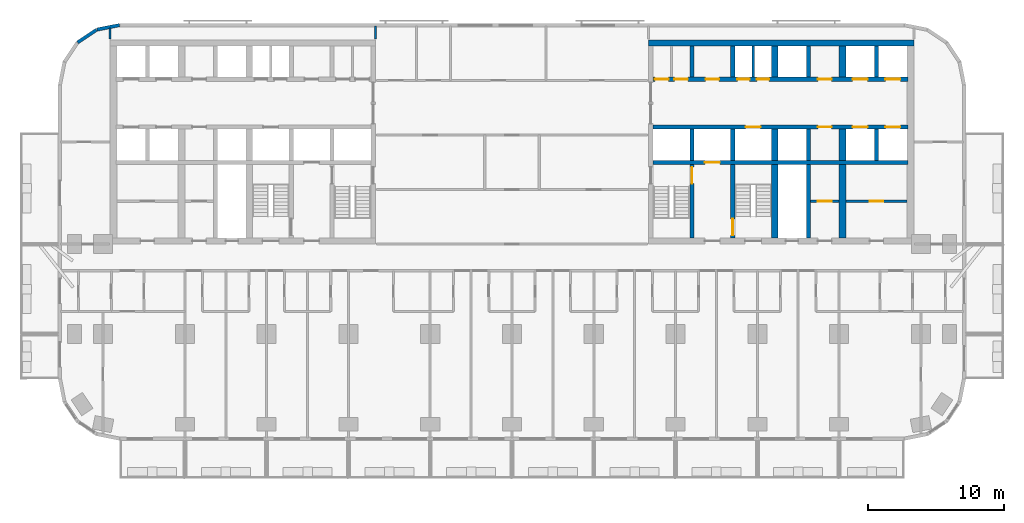
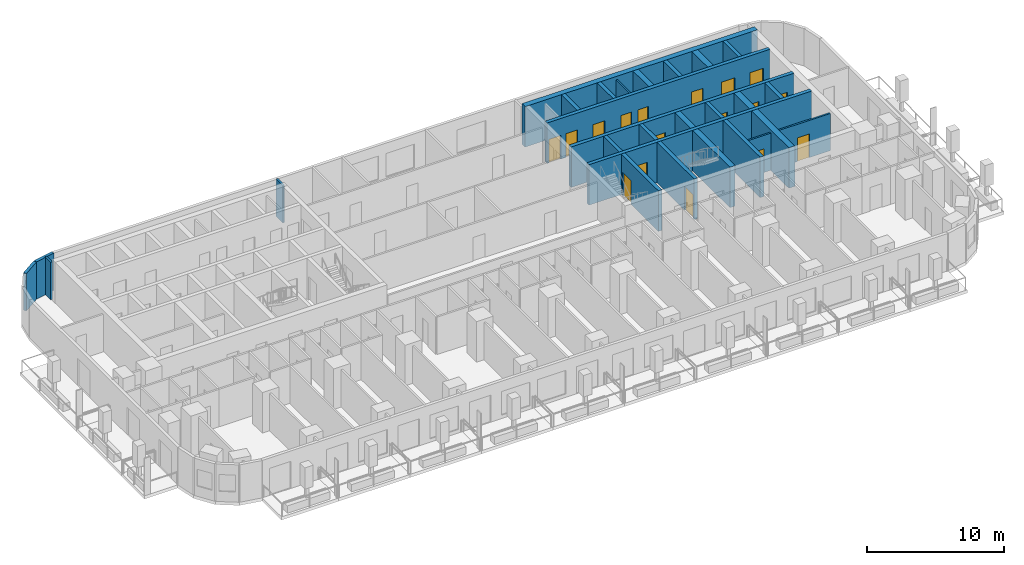
# One storey, part 8 of 15: 28 walls, 17 doors, 17 openings.
"""IFC4 building model written with IfcOpenShell, lengths in metres."""

from ifc_helpers import new_model, si_unit, direction, frame, frame_2d, origin, place, context, subcontext, project, spatial, rectangle, extrude, material, layer, layer_set, type_object, element, fill, save


model = new_model("IFC4")

# Units and contexts
model_context = context("Model", 3, precision=1e-05, world=origin(), true_north=direction((0.0, 1.0)))
body_context = subcontext(model_context, "Body", "Model", "MODEL_VIEW")
ifc_project = project(units=[si_unit("LENGTHUNIT", "METRE"), si_unit("AREAUNIT", "SQUARE_METRE"), si_unit("VOLUMEUNIT", "CUBIC_METRE"), si_unit("PLANEANGLEUNIT", "RADIAN"), si_unit("MASSUNIT", "GRAM", prefix="KILO")], contexts=[model_context])

# Site, building, storey
site_placement = place(None, origin())
site = spatial("IfcSite", under=ifc_project, at=site_placement, CompositionType="ELEMENT")
building_placement = place(site_placement, origin())
building = spatial("IfcBuilding", under=site, at=building_placement, Name="Torana Hotel and Residences", CompositionType="ELEMENT")
storey_placement = place(building_placement, frame((0.0, 0.0, 24.0)))
storey = spatial("IfcBuildingStorey", under=building, at=storey_placement, Name="L04", CompositionType="ELEMENT", Elevation=24.0)

# Wall, openings, doors
ifc_material_1 = material(Name="Concrete C80/95", Category="concrete")
ifc_layer_1 = layer(ifc_material_1, 0.300048828125)
ifc_layer_set_1 = layer_set([ifc_layer_1], Name="CORE WALL 300 C80/95")
wall_type_1 = type_object("IfcWallType", Name="CORE WALL 300 C80/95", PredefinedType="SHEAR", material=ifc_layer_set_1)
wall_1_placement = place(storey_placement, frame((10.35009765625, -2.89990234375, 0.0), z_axis=(0.0, 0.0, 1.0), x_axis=(1.0, 0.0, 0.0)))
wall_1 = element("IfcWall", 1, at=wall_1_placement, inside=storey, type_object=wall_type_1, Name="Core wall E row-N", PredefinedType="SHEAR", context=body_context, shape_type="SweptSolid", body=[
    extrude(rectangle(XDim=18.699951171875, YDim=0.300048828125, at=frame_2d((9.35009765625, 0.0))), origin(), (0.0, 0.0, 1.0), 3.60009765625),
])
opening_1_placement = place(wall_1_placement, frame((14.64990234375, 0.0, 0.0)))
opening_1 = element("IfcOpeningElement", 2, at=opening_1_placement, cuts=wall_1, Name="Opening LD", PredefinedType="OPENING", context=body_context, shape_type="SweptSolid", body=[
    extrude(rectangle(XDim=1.10009765625, YDim=2.10009765625, at=frame_2d((0.550048828125, 1.050048828125))), frame((0.0, 0.159912109375, 0.0), z_axis=(0.0, -1.0, 0.0), x_axis=(1.0, 0.0, 0.0)), (0.0, 0.0, 1.0), 0.320068359375),
])
opening_2_placement = place(wall_1_placement, frame((17.050048828125, 0.0, 0.0)))
opening_2 = element("IfcOpeningElement", 3, at=opening_2_placement, cuts=wall_1, Name="Opening LD", PredefinedType="OPENING", context=body_context, shape_type="SweptSolid", body=[
    extrude(rectangle(XDim=1.10009765625, YDim=2.10009765625, at=frame_2d((0.550048828125, 1.050048828125))), frame((0.0, 0.159912109375, 0.0), z_axis=(0.0, -1.0, 0.0), x_axis=(1.0, 0.0, 0.0)), (0.0, 0.0, 1.0), 0.320068359375),
])
opening_3_placement = place(wall_1_placement, frame((6.1875, 0.0, 0.0)))
opening_3 = element("IfcOpeningElement", 4, at=opening_3_placement, cuts=wall_1, Name="Opening L04-26", PredefinedType="OPENING", context=body_context, shape_type="SweptSolid", body=[
    extrude(rectangle(XDim=0.89990234375, YDim=2.10009765625, at=frame_2d((0.449951171875, 1.050048828125))), frame((0.0, 0.159912109375, 0.0), z_axis=(0.0, -1.0, 0.0), x_axis=(1.0, 0.0, 0.0)), (0.0, 0.0, 1.0), 0.320068359375),
])
opening_4_placement = place(wall_1_placement, frame((7.612548828125, 0.0, 0.0)))
opening_4 = element("IfcOpeningElement", 5, at=opening_4_placement, cuts=wall_1, Name="Opening L04-27", PredefinedType="OPENING", context=body_context, shape_type="SweptSolid", body=[
    extrude(rectangle(XDim=0.89990234375, YDim=2.10009765625, at=frame_2d((0.449951171875, 1.050048828125))), frame((0.0, 0.159912109375, 0.0), z_axis=(0.0, -1.0, 0.0), x_axis=(1.0, 0.0, 0.0)), (0.0, 0.0, 1.0), 0.320068359375),
])
opening_5_placement = place(wall_1_placement, frame((0.137451171875, 0.0, 0.0)))
opening_5 = element("IfcOpeningElement", 6, at=opening_5_placement, cuts=wall_1, Name="Opening L04-28", PredefinedType="OPENING", context=body_context, shape_type="SweptSolid", body=[
    extrude(rectangle(XDim=1.0, YDim=2.10009765625, at=frame_2d((0.5, 1.050048828125))), frame((0.0, 0.159912109375, 0.0), z_axis=(0.0, -1.0, 0.0), x_axis=(1.0, 0.0, 0.0)), (0.0, 0.0, 1.0), 0.320068359375),
])
opening_6_placement = place(wall_1_placement, frame((1.5625, 0.0, 0.0)))
opening_6 = element("IfcOpeningElement", 7, at=opening_6_placement, cuts=wall_1, Name="Opening L04-29", PredefinedType="OPENING", context=body_context, shape_type="SweptSolid", body=[
    extrude(rectangle(XDim=1.0, YDim=2.10009765625, at=frame_2d((0.5, 1.050048828125))), frame((0.0, 0.159912109375, 0.0), z_axis=(0.0, -1.0, 0.0), x_axis=(1.0, 0.0, 0.0)), (0.0, 0.0, 1.0), 0.320068359375),
])
opening_7_placement = place(wall_1_placement, frame((3.85009765625, 0.0, 0.0)))
opening_7 = element("IfcOpeningElement", 8, at=opening_7_placement, cuts=wall_1, Name="Opening L04-30", PredefinedType="OPENING", context=body_context, shape_type="SweptSolid", body=[
    extrude(rectangle(XDim=1.0, YDim=2.10009765625, at=frame_2d((0.5, 1.050048828125))), frame((0.0, 0.159912109375, 0.0), z_axis=(0.0, -1.0, 0.0), x_axis=(1.0, 0.0, 0.0)), (0.0, 0.0, 1.0), 0.320068359375),
])
opening_8_placement = place(wall_1_placement, frame((12.10009765625, 0.0, 0.0)))
opening_8 = element("IfcOpeningElement", 9, at=opening_8_placement, cuts=wall_1, Name="Opening L04-31", PredefinedType="OPENING", context=body_context, shape_type="SweptSolid", body=[
    extrude(rectangle(XDim=1.0, YDim=2.10009765625, at=frame_2d((0.5, 1.050048828125))), frame((0.0, 0.159912109375, 0.0), z_axis=(0.0, -1.0, 0.0), x_axis=(1.0, 0.0, 0.0)), (0.0, 0.0, 1.0), 0.320068359375),
])
ifc_material_2 = material(Name="Steel S235", Category="steel")
door_type_1 = type_object("IfcDoorType", Name="CORE ROOM FIRE DOOR D14 1000x2100", OperationType="SINGLE_SWING_LEFT", PredefinedType="DOOR", material=ifc_material_2)
door_1_placement = place(opening_5_placement, origin())
door_1 = element("IfcDoor", 10, at=door_1_placement, inside=storey, type_object=door_type_1, Name="N0A door L04", OperationType="SINGLE_SWING_RIGHT", OverallHeight=2.10009765625, OverallWidth=1.0, PredefinedType="DOOR", context=body_context, shape_type="SweptSolid", body=[
    extrude(rectangle(XDim=1.0, YDim=2.10009765625, at=frame_2d((0.5, 1.050048828125))), frame((0.0, 0.02490234375, 0.0), z_axis=(0.0, -1.0, 0.0), x_axis=(1.0, 0.0, 0.0)), (0.0, 0.0, 1.0), 0.050048828125),
])
fill(opening_5, door_1)
door_2_placement = place(opening_6_placement, origin())
door_2 = element("IfcDoor", 11, at=door_2_placement, inside=storey, type_object=door_type_1, Name="N0B door L04", OperationType="SINGLE_SWING_RIGHT", OverallHeight=2.10009765625, OverallWidth=1.0, PredefinedType="DOOR", context=body_context, shape_type="SweptSolid", body=[
    extrude(rectangle(XDim=1.0, YDim=2.10009765625, at=frame_2d((0.5, 1.050048828125))), frame((0.0, 0.02490234375, 0.0), z_axis=(0.0, -1.0, 0.0), x_axis=(1.0, 0.0, 0.0)), (0.0, 0.0, 1.0), 0.050048828125),
])
fill(opening_6, door_2)
door_3_placement = place(opening_7_placement, origin())
door_3 = element("IfcDoor", 12, at=door_3_placement, inside=storey, type_object=door_type_1, Name="N1 door L04", OperationType="SINGLE_SWING_RIGHT", OverallHeight=2.10009765625, OverallWidth=1.0, PredefinedType="DOOR", context=body_context, shape_type="SweptSolid", body=[
    extrude(rectangle(XDim=1.0, YDim=2.10009765625, at=frame_2d((0.5, 1.050048828125))), frame((0.0, 0.02490234375, 0.0), z_axis=(0.0, -1.0, 0.0), x_axis=(1.0, 0.0, 0.0)), (0.0, 0.0, 1.0), 0.050048828125),
])
fill(opening_7, door_3)
door_4_placement = place(opening_8_placement, origin())
door_4 = element("IfcDoor", 13, at=door_4_placement, inside=storey, type_object=door_type_1, Name="Free-M3 door L04", OperationType="SINGLE_SWING_RIGHT", OverallHeight=2.10009765625, OverallWidth=1.0, PredefinedType="DOOR", context=body_context, shape_type="SweptSolid", body=[
    extrude(rectangle(XDim=1.0, YDim=2.10009765625, at=frame_2d((0.5, 1.050048828125))), frame((0.0, 0.02490234375, 0.0), z_axis=(0.0, -1.0, 0.0), x_axis=(1.0, 0.0, 0.0)), (0.0, 0.0, 1.0), 0.050048828125),
])
fill(opening_8, door_4)
ifc_material_3 = material(Name="Stainless steel 316", Category="steel")
door_type_2 = type_object("IfcDoorType", Name="LIFT LANDING DOOR LD 1100x2100", OperationType="DOUBLE_DOOR_SLIDING", PredefinedType="USERDEFINED", material=ifc_material_3)
door_5_placement = place(opening_1_placement, origin())
door_5 = element("IfcDoor", 14, at=door_5_placement, inside=storey, type_object=door_type_2, Name="Lift landing door L5 L04", ObjectType="LIFT LANDING DOOR", OperationType="DOUBLE_DOOR_SLIDING", OverallHeight=2.10009765625, OverallWidth=1.10009765625, PredefinedType="USERDEFINED", context=body_context, shape_type="SweptSolid", body=[
    extrude(rectangle(XDim=1.10009765625, YDim=2.10009765625, at=frame_2d((0.550048828125, 1.050048828125))), frame((0.0, 0.02490234375, 0.0), z_axis=(0.0, -1.0, 0.0), x_axis=(1.0, 0.0, 0.0)), (0.0, 0.0, 1.0), 0.050048828125),
])
fill(opening_1, door_5)
door_6_placement = place(opening_2_placement, origin())
door_6 = element("IfcDoor", 15, at=door_6_placement, inside=storey, type_object=door_type_2, Name="Lift landing door L6 L04", ObjectType="LIFT LANDING DOOR", OperationType="DOUBLE_DOOR_SLIDING", OverallHeight=2.10009765625, OverallWidth=1.10009765625, PredefinedType="USERDEFINED", context=body_context, shape_type="SweptSolid", body=[
    extrude(rectangle(XDim=1.10009765625, YDim=2.10009765625, at=frame_2d((0.550048828125, 1.050048828125))), frame((0.0, 0.02490234375, 0.0), z_axis=(0.0, -1.0, 0.0), x_axis=(1.0, 0.0, 0.0)), (0.0, 0.0, 1.0), 0.050048828125),
])
fill(opening_2, door_6)
ifc_material_4 = material(Name="Steel S235", Category="steel")
door_type_3 = type_object("IfcDoorType", Name="RISER ACCESS DOOR D5 900x2100", OperationType="SINGLE_SWING_LEFT", PredefinedType="DOOR", material=ifc_material_4)
door_7_placement = place(opening_3_placement, origin())
door_7 = element("IfcDoor", 16, at=door_7_placement, inside=storey, type_object=door_type_3, Name="N2A door L04", OperationType="SINGLE_SWING_RIGHT", OverallHeight=2.10009765625, OverallWidth=0.89990234375, PredefinedType="DOOR", context=body_context, shape_type="SweptSolid", body=[
    extrude(rectangle(XDim=0.89990234375, YDim=2.10009765625, at=frame_2d((0.449951171875, 1.050048828125))), frame((0.0, 0.02490234375, 0.0), z_axis=(0.0, -1.0, 0.0), x_axis=(1.0, 0.0, 0.0)), (0.0, 0.0, 1.0), 0.050048828125),
])
fill(opening_3, door_7)
door_8_placement = place(opening_4_placement, origin())
door_8 = element("IfcDoor", 17, at=door_8_placement, inside=storey, type_object=door_type_3, Name="N2B door L04", OperationType="SINGLE_SWING_RIGHT", OverallHeight=2.10009765625, OverallWidth=0.89990234375, PredefinedType="DOOR", context=body_context, shape_type="SweptSolid", body=[
    extrude(rectangle(XDim=0.89990234375, YDim=2.10009765625, at=frame_2d((0.449951171875, 1.050048828125))), frame((0.0, 0.02490234375, 0.0), z_axis=(0.0, -1.0, 0.0), x_axis=(1.0, 0.0, 0.0)), (0.0, 0.0, 1.0), 0.050048828125),
])
fill(opening_4, door_8)

wall_2_placement = place(storey_placement, frame((10.35009765625, -6.39990234375, 0.0), z_axis=(0.0, 0.0, 1.0), x_axis=(1.0, 0.0, 0.0)))
wall_2 = element("IfcWall", 18, at=wall_2_placement, inside=storey, type_object=wall_type_1, Name="Core wall E row-S", PredefinedType="SHEAR", context=body_context, shape_type="SweptSolid", body=[
    extrude(rectangle(XDim=18.699951171875, YDim=0.300048828125, at=frame_2d((9.35009765625, 0.0))), origin(), (0.0, 0.0, 1.0), 3.60009765625),
])
opening_9_placement = place(wall_2_placement, frame((14.64990234375, 0.0, 0.0)))
opening_9 = element("IfcOpeningElement", 19, at=opening_9_placement, cuts=wall_2, Name="Opening LD", PredefinedType="OPENING", context=body_context, shape_type="SweptSolid", body=[
    extrude(rectangle(XDim=1.10009765625, YDim=2.10009765625, at=frame_2d((0.550048828125, 1.050048828125))), frame((0.0, 0.159912109375, 0.0), z_axis=(0.0, -1.0, 0.0), x_axis=(1.0, 0.0, 0.0)), (0.0, 0.0, 1.0), 0.320068359375),
])
opening_10_placement = place(wall_2_placement, frame((17.050048828125, 0.0, 0.0)))
opening_10 = element("IfcOpeningElement", 20, at=opening_10_placement, cuts=wall_2, Name="Opening LD", PredefinedType="OPENING", context=body_context, shape_type="SweptSolid", body=[
    extrude(rectangle(XDim=1.10009765625, YDim=2.10009765625, at=frame_2d((0.550048828125, 1.050048828125))), frame((0.0, 0.159912109375, 0.0), z_axis=(0.0, -1.0, 0.0), x_axis=(1.0, 0.0, 0.0)), (0.0, 0.0, 1.0), 0.320068359375),
])
opening_11_placement = place(wall_2_placement, frame((6.800048828125, 0.0, 0.0)))
opening_11 = element("IfcOpeningElement", 21, at=opening_11_placement, cuts=wall_2, Name="Opening LD", PredefinedType="OPENING", context=body_context, shape_type="SweptSolid", body=[
    extrude(rectangle(XDim=1.10009765625, YDim=2.10009765625, at=frame_2d((0.550048828125, 1.050048828125))), frame((0.0, 0.159912109375, 0.0), z_axis=(0.0, -1.0, 0.0), x_axis=(1.0, 0.0, 0.0)), (0.0, 0.0, 1.0), 0.320068359375),
])
opening_12_placement = place(wall_2_placement, frame((12.10009765625, 0.0, 0.0)))
opening_12 = element("IfcOpeningElement", 22, at=opening_12_placement, cuts=wall_2, Name="Opening L04-32", PredefinedType="OPENING", context=body_context, shape_type="SweptSolid", body=[
    extrude(rectangle(XDim=1.0, YDim=2.10009765625, at=frame_2d((0.5, 1.050048828125))), frame((0.0, 0.159912109375, 0.0), z_axis=(0.0, -1.0, 0.0), x_axis=(1.0, 0.0, 0.0)), (0.0, 0.0, 1.0), 0.320068359375),
])
door_9_placement = place(opening_12_placement, frame((0.5, 0.0, 0.0), z_axis=(0.0, 0.0, 1.0), x_axis=(-1.0, 0.0, 0.0)))
door_9 = element("IfcDoor", 23, at=door_9_placement, inside=storey, type_object=door_type_1, Name="Free-M4 door L04", OperationType="SINGLE_SWING_LEFT", OverallHeight=2.10009765625, OverallWidth=1.0, PredefinedType="DOOR", context=body_context, shape_type="SweptSolid", body=[
    extrude(rectangle(XDim=1.0, YDim=2.10009765625, at=frame_2d((0.0, 1.050048828125))), frame((0.0, -0.02490234375, 0.0), z_axis=(0.0, 1.0, 0.0), x_axis=(-1.0, 0.0, 0.0)), (0.0, 0.0, 1.0), 0.050048828125),
])
fill(opening_12, door_9)
door_10_placement = place(opening_9_placement, origin())
door_10 = element("IfcDoor", 24, at=door_10_placement, inside=storey, type_object=door_type_2, Name="Lift landing door L7 L04", ObjectType="LIFT LANDING DOOR", OperationType="DOUBLE_DOOR_SLIDING", OverallHeight=2.10009765625, OverallWidth=1.10009765625, PredefinedType="USERDEFINED", context=body_context, shape_type="SweptSolid", body=[
    extrude(rectangle(XDim=1.10009765625, YDim=2.10009765625, at=frame_2d((0.550048828125, 1.050048828125))), frame((0.0, 0.02490234375, 0.0), z_axis=(0.0, -1.0, 0.0), x_axis=(1.0, 0.0, 0.0)), (0.0, 0.0, 1.0), 0.050048828125),
])
fill(opening_9, door_10)
door_11_placement = place(opening_10_placement, origin())
door_11 = element("IfcDoor", 25, at=door_11_placement, inside=storey, type_object=door_type_2, Name="Lift landing door L8 L04", ObjectType="LIFT LANDING DOOR", OperationType="DOUBLE_DOOR_SLIDING", OverallHeight=2.10009765625, OverallWidth=1.10009765625, PredefinedType="USERDEFINED", context=body_context, shape_type="SweptSolid", body=[
    extrude(rectangle(XDim=1.10009765625, YDim=2.10009765625, at=frame_2d((0.550048828125, 1.050048828125))), frame((0.0, 0.02490234375, 0.0), z_axis=(0.0, -1.0, 0.0), x_axis=(1.0, 0.0, 0.0)), (0.0, 0.0, 1.0), 0.050048828125),
])
fill(opening_10, door_11)
door_12_placement = place(opening_11_placement, origin())
door_12 = element("IfcDoor", 26, at=door_12_placement, inside=storey, type_object=door_type_2, Name="Lift landing door SV2 L04", ObjectType="LIFT LANDING DOOR", OperationType="DOUBLE_DOOR_SLIDING", OverallHeight=2.10009765625, OverallWidth=1.10009765625, PredefinedType="USERDEFINED", context=body_context, shape_type="SweptSolid", body=[
    extrude(rectangle(XDim=1.10009765625, YDim=2.10009765625, at=frame_2d((0.550048828125, 1.050048828125))), frame((0.0, 0.02490234375, 0.0), z_axis=(0.0, -1.0, 0.0), x_axis=(1.0, 0.0, 0.0)), (0.0, 0.0, 1.0), 0.050048828125),
])
fill(opening_11, door_12)

# Wall, opening, door
wall_3_placement = place(storey_placement, frame((10.35009765625, -9.0, 0.0), z_axis=(0.0, 0.0, 1.0), x_axis=(1.0, 0.0, 0.0)))
wall_3 = element("IfcWall", 27, at=wall_3_placement, inside=storey, type_object=wall_type_1, Name="Core wall E band", PredefinedType="SHEAR", context=body_context, shape_type="SweptSolid", body=[
    extrude(rectangle(XDim=18.699951171875, YDim=0.300048828125, at=frame_2d((9.35009765625, 0.0))), origin(), (0.0, 0.0, 1.0), 3.60009765625),
])
opening_13_placement = place(wall_3_placement, frame((3.800048828125, 0.0, 0.0)))
opening_13 = element("IfcOpeningElement", 28, at=opening_13_placement, cuts=wall_3, Name="Opening LD", PredefinedType="OPENING", context=body_context, shape_type="SweptSolid", body=[
    extrude(rectangle(XDim=1.10009765625, YDim=2.10009765625, at=frame_2d((0.550048828125, 1.050048828125))), frame((0.0, 0.159912109375, 0.0), z_axis=(0.0, -1.0, 0.0), x_axis=(1.0, 0.0, 0.0)), (0.0, 0.0, 1.0), 0.320068359375),
])
door_13_placement = place(opening_13_placement, origin())
door_13 = element("IfcDoor", 29, at=door_13_placement, inside=storey, type_object=door_type_2, Name="Lift landing door FF2 L04", ObjectType="LIFT LANDING DOOR", OperationType="DOUBLE_DOOR_SLIDING", OverallHeight=2.10009765625, OverallWidth=1.10009765625, PredefinedType="USERDEFINED", context=body_context, shape_type="SweptSolid", body=[
    extrude(rectangle(XDim=1.10009765625, YDim=2.10009765625, at=frame_2d((0.550048828125, 1.050048828125))), frame((0.0, 0.02490234375, 0.0), z_axis=(0.0, -1.0, 0.0), x_axis=(1.0, 0.0, 0.0)), (0.0, 0.0, 1.0), 0.050048828125),
])
fill(opening_13, door_13)

# Walls
for number, where, z_axis, x_axis, name in (
    (30, (13.199951171875, -2.75, 0.0), (0.0, 0.0, 1.0), (0.0, 1.0, 0.0), "Core wall E x3.05-N"),
    (31, (13.199951171875, -8.85009765625, 0.0), (0.0, 0.0, 1.0), (0.0, 1.0, 0.0), "Core wall E x3.05-S"),
):
    element("IfcWall", number, at=place(storey_placement, frame(where, z_axis=z_axis, x_axis=x_axis)), inside=storey, type_object=wall_type_1, Name=name, PredefinedType="SHEAR", context=body_context, shape_type="SweptSolid", body=[
        extrude(rectangle(XDim=2.300048828125, YDim=0.300048828125, at=frame_2d((1.14990234375, 0.0))), origin(), (0.0, 0.0, 1.0), 3.60009765625),
    ])

# Wall, opening, door
wall_4_placement = place(storey_placement, frame((13.199951171875, -14.550048828125, 0.0), z_axis=(0.0, 0.0, 1.0), x_axis=(0.0, 1.0, 0.0)))
wall_4 = element("IfcWall", 32, at=wall_4_placement, inside=storey, type_object=wall_type_1, Name="Core wall E x3.05-band", PredefinedType="SHEAR", context=body_context, shape_type="SweptSolid", body=[
    extrude(rectangle(XDim=5.400146484375, YDim=0.300048828125, at=frame_2d((2.7001953125, 0.0))), origin(), (0.0, 0.0, 1.0), 3.60009765625),
])
opening_14_placement = place(wall_4_placement, frame((4.0, 0.0, 0.0)))
opening_14 = element("IfcOpeningElement", 33, at=opening_14_placement, cuts=wall_4, Name="Opening L04-33", PredefinedType="OPENING", context=body_context, shape_type="SweptSolid", body=[
    extrude(rectangle(XDim=1.199951171875, YDim=2.10009765625, at=frame_2d((0.60009765625, 1.050048828125))), frame((0.0, 0.159912109375, 0.0), z_axis=(0.0, -1.0, 0.0), x_axis=(1.0, 0.0, 0.0)), (0.0, 0.0, 1.0), 0.320068359375),
])
ifc_material_5 = material(Name="Steel S235", Category="steel")
door_type_4 = type_object("IfcDoorType", Name="STAIR FIRE DOOR D3 1200x2100", OperationType="SINGLE_SWING_LEFT", PredefinedType="DOOR", material=ifc_material_5)
door_14_placement = place(opening_14_placement, origin())
door_14 = element("IfcDoor", 34, at=door_14_placement, inside=storey, type_object=door_type_4, Name="Stair-A-lobby door L04", OperationType="SINGLE_SWING_LEFT", OverallHeight=2.10009765625, OverallWidth=1.199951171875, PredefinedType="DOOR", context=body_context, shape_type="SweptSolid", body=[
    extrude(rectangle(XDim=1.199951171875, YDim=2.10009765625, at=frame_2d((0.60009765625, 1.050048828125))), frame((0.0, 0.02490234375, 0.0), z_axis=(0.0, -1.0, 0.0), x_axis=(1.0, 0.0, 0.0)), (0.0, 0.0, 1.0), 0.050048828125),
])
fill(opening_14, door_14)

# Walls
for number, where, z_axis, x_axis, name in (
    (35, (16.199951171875, -2.75, 0.0), (0.0, 0.0, 1.0), (0.0, 1.0, 0.0), "Core wall E x6.05-N"),
    (36, (16.199951171875, -8.85009765625, 0.0), (0.0, 0.0, 1.0), (0.0, 1.0, 0.0), "Core wall E x6.05-S"),
):
    element("IfcWall", number, at=place(storey_placement, frame(where, z_axis=z_axis, x_axis=x_axis)), inside=storey, type_object=wall_type_1, Name=name, PredefinedType="SHEAR", context=body_context, shape_type="SweptSolid", body=[
        extrude(rectangle(XDim=2.300048828125, YDim=0.300048828125, at=frame_2d((1.14990234375, 0.0))), origin(), (0.0, 0.0, 1.0), 3.60009765625),
    ])

# Wall, opening, door
wall_5_placement = place(storey_placement, frame((16.199951171875, -14.550048828125, 0.0), z_axis=(0.0, 0.0, 1.0), x_axis=(0.0, 1.0, 0.0)))
wall_5 = element("IfcWall", 37, at=wall_5_placement, inside=storey, type_object=wall_type_1, Name="Core wall E x6.05-band", PredefinedType="SHEAR", context=body_context, shape_type="SweptSolid", body=[
    extrude(rectangle(XDim=5.400146484375, YDim=0.300048828125, at=frame_2d((2.7001953125, 0.0))), origin(), (0.0, 0.0, 1.0), 3.60009765625),
])
opening_15_placement = place(wall_5_placement, frame((0.199951171875, 0.0, 0.0)))
opening_15 = element("IfcOpeningElement", 38, at=opening_15_placement, cuts=wall_5, Name="Opening L04-34", PredefinedType="OPENING", context=body_context, shape_type="SweptSolid", body=[
    extrude(rectangle(XDim=1.199951171875, YDim=2.10009765625, at=frame_2d((0.60009765625, 1.050048828125))), frame((0.0, 0.159912109375, 0.0), z_axis=(0.0, -1.0, 0.0), x_axis=(1.0, 0.0, 0.0)), (0.0, 0.0, 1.0), 0.320068359375),
])
door_15_placement = place(opening_15_placement, frame((0.60009765625, 0.0, 0.0), z_axis=(0.0, 0.0, 1.0), x_axis=(-1.0, 0.0, 0.0)))
door_15 = element("IfcDoor", 39, at=door_15_placement, inside=storey, type_object=door_type_4, Name="Stair-B-lobby door L04", OperationType="SINGLE_SWING_LEFT", OverallHeight=2.10009765625, OverallWidth=1.199951171875, PredefinedType="DOOR", context=body_context, shape_type="SweptSolid", body=[
    extrude(rectangle(XDim=1.199951171875, YDim=2.10009765625, at=frame_2d((0.0, 1.050048828125))), frame((0.0, -0.02490234375, 0.0), z_axis=(0.0, 1.0, 0.0), x_axis=(-1.0, 0.0, 0.0)), (0.0, 0.0, 1.0), 0.050048828125),
])
fill(opening_15, door_15)

# Walls
for number, where, z_axis, x_axis, name in (
    (40, (21.75, -2.75, 0.0), (0.0, 0.0, 1.0), (0.0, 1.0, 0.0), "Core wall E mm-N"),
    (41, (21.75, -8.85009765625, 0.0), (0.0, 0.0, 1.0), (0.0, 1.0, 0.0), "Core wall E mm-S"),
):
    element("IfcWall", number, at=place(storey_placement, frame(where, z_axis=z_axis, x_axis=x_axis)), inside=storey, type_object=wall_type_1, Name=name, PredefinedType="SHEAR", context=body_context, shape_type="SweptSolid", body=[
        extrude(rectangle(XDim=2.300048828125, YDim=0.300048828125, at=frame_2d((1.14990234375, 0.0))), origin(), (0.0, 0.0, 1.0), 3.60009765625),
    ])
wall_6_placement = place(storey_placement, frame((21.75, -14.550048828125, 0.0), z_axis=(0.0, 0.0, 1.0), x_axis=(0.0, 1.0, 0.0)))
element("IfcWall", 42, at=wall_6_placement, inside=storey, type_object=wall_type_1, Name="Core wall E mm-band", PredefinedType="SHEAR", context=body_context, shape_type="SweptSolid", body=[
    extrude(rectangle(XDim=5.400146484375, YDim=0.300048828125, at=frame_2d((2.7001953125, 0.0))), origin(), (0.0, 0.0, 1.0), 3.60009765625),
])
for number, where, z_axis, x_axis, name in (
    (43, (26.75, -2.75, 0.0), (0.0, 0.0, 1.0), (0.0, 1.0, 0.0), "Core wall E ll-N"),
    (44, (26.75, -8.85009765625, 0.0), (0.0, 0.0, 1.0), (0.0, 1.0, 0.0), "Core wall E ll-S"),
):
    element("IfcWall", number, at=place(storey_placement, frame(where, z_axis=z_axis, x_axis=x_axis)), inside=storey, type_object=wall_type_1, Name=name, PredefinedType="SHEAR", context=body_context, shape_type="SweptSolid", body=[
        extrude(rectangle(XDim=2.300048828125, YDim=0.300048828125, at=frame_2d((1.14990234375, 0.0))), origin(), (0.0, 0.0, 1.0), 3.60009765625),
    ])
ifc_material_6 = material(Name="Concrete C80/95", Category="concrete")
ifc_layer_2 = layer(ifc_material_6, 0.449951171875)
ifc_layer_set_2 = layer_set([ifc_layer_2], Name="CORE WALL 450 C80/95")
wall_type_2 = type_object("IfcWallType", Name="CORE WALL 450 C80/95", PredefinedType="SHEAR", material=ifc_layer_set_2)
wall_7_placement = place(storey_placement, frame((10.0, -0.22509765625, 0.0), z_axis=(0.0, 0.0, 1.0), x_axis=(1.0, 0.0, 0.0)))
element("IfcWall", 45, at=wall_7_placement, inside=storey, type_object=wall_type_2, Name="Core wall E rear", PredefinedType="SHEAR", context=body_context, shape_type="SweptSolid", body=[
    extrude(rectangle(XDim=19.5, YDim=0.449951171875, at=frame_2d((9.75, 0.0))), origin(), (0.0, 0.0, 1.0), 3.60009765625),
])
for number, where, z_axis, x_axis, name in (
    (46, (19.27490234375, -2.75, 0.0), (0.0, 0.0, 1.0), (0.0, 1.0, 0.0), "Core wall E hm-N"),
    (47, (19.27490234375, -8.85009765625, 0.0), (0.0, 0.0, 1.0), (0.0, 1.0, 0.0), "Core wall E hm-S"),
):
    element("IfcWall", number, at=place(storey_placement, frame(where, z_axis=z_axis, x_axis=x_axis)), inside=storey, type_object=wall_type_2, Name=name, PredefinedType="SHEAR", context=body_context, shape_type="SweptSolid", body=[
        extrude(rectangle(XDim=2.300048828125, YDim=0.449951171875, at=frame_2d((1.14990234375, 0.0))), origin(), (0.0, 0.0, 1.0), 3.60009765625),
    ])
wall_8_placement = place(storey_placement, frame((19.27490234375, -14.550048828125, 0.0), z_axis=(0.0, 0.0, 1.0), x_axis=(0.0, 1.0, 0.0)))
element("IfcWall", 48, at=wall_8_placement, inside=storey, type_object=wall_type_2, Name="Core wall E hm-band", PredefinedType="SHEAR", context=body_context, shape_type="SweptSolid", body=[
    extrude(rectangle(XDim=5.400146484375, YDim=0.449951171875, at=frame_2d((2.7001953125, 0.0))), origin(), (0.0, 0.0, 1.0), 3.60009765625),
])
ifc_material_7 = material(Name="Concrete C80/95", Category="concrete")
ifc_layer_3 = layer(ifc_material_7, 0.5)
ifc_layer_set_3 = layer_set([ifc_layer_3], Name="CORE WALL 500 C80/95")
wall_type_3 = type_object("IfcWallType", Name="CORE WALL 500 C80/95", PredefinedType="SHEAR", material=ifc_layer_set_3)
for number, where, z_axis, x_axis, name in (
    (49, (24.25, -2.75, 0.0), (0.0, 0.0, 1.0), (0.0, 1.0, 0.0), "Core wall E ml-N"),
    (50, (24.25, -8.85009765625, 0.0), (0.0, 0.0, 1.0), (0.0, 1.0, 0.0), "Core wall E ml-S"),
):
    element("IfcWall", number, at=place(storey_placement, frame(where, z_axis=z_axis, x_axis=x_axis)), inside=storey, type_object=wall_type_3, Name=name, PredefinedType="SHEAR", context=body_context, shape_type="SweptSolid", body=[
        extrude(rectangle(XDim=2.300048828125, YDim=0.5, at=frame_2d((1.14990234375, 0.0))), origin(), (0.0, 0.0, 1.0), 3.60009765625),
    ])
wall_9_placement = place(storey_placement, frame((24.25, -14.550048828125, 0.0), z_axis=(0.0, 0.0, 1.0), x_axis=(0.0, 1.0, 0.0)))
element("IfcWall", 51, at=wall_9_placement, inside=storey, type_object=wall_type_3, Name="Core wall E ml-band", PredefinedType="SHEAR", context=body_context, shape_type="SweptSolid", body=[
    extrude(rectangle(XDim=5.400146484375, YDim=0.5, at=frame_2d((2.7001953125, 0.0))), origin(), (0.0, 0.0, 1.0), 3.60009765625),
])
ifc_material_8 = material(Name="Black aluminium composite panel", Category="aluminium")
ifc_layer_4 = layer(ifc_material_8, 0.00390625, Name="Cladding", Category="cladding")
ifc_material_9 = material(Name="Ventilated air cavity")
ifc_layer_5 = layer(ifc_material_9, 0.0400390625, Name="Ventilated cavity", Category="cavity")
ifc_material_10 = material(Name="Mineral wool insulation")
ifc_layer_6 = layer(ifc_material_10, 0.090087890625, Name="Insulation", Category="insulation")
ifc_material_11 = material(Name="Steel S280GD", Category="steel")
ifc_layer_7 = layer(ifc_material_11, 0.092041015625, Name="Steel stud frame", Category="structure")
ifc_material_12 = material(Name="Fire rated plasterboard")
ifc_layer_8 = layer(ifc_material_12, 0.011962890625, Name="Inner board", Category="finish")
ifc_layer_9 = layer(ifc_material_12, 0.011962890625, Name="Second board", Category="finish")
ifc_layer_set_4 = layer_set([ifc_layer_4, ifc_layer_5, ifc_layer_6, ifc_layer_7, ifc_layer_8, ifc_layer_9], Name="EW1 EXTERNAL WALL BLACK METAL CLAD 250")
wall_type_4 = type_object("IfcWallType", Name="EW1 EXTERNAL WALL BLACK METAL CLAD 250", PredefinedType="SOLIDWALL", material=ifc_layer_set_4)
wall_10_placement = place(storey_placement, frame((-28.7998046875, 1.072509765625, 0.0), z_axis=(0.0, 0.0, 1.0), x_axis=(-0.980803419081, -0.194999110559, 0.0)))
element("IfcWall", 52, at=wall_10_placement, inside=storey, type_object=wall_type_4, Name="External wall L04 e0.5", PredefinedType="SOLIDWALL", context=body_context, shape_type="SweptSolid", body=[
    extrude(rectangle(XDim=1.681396484375, YDim=0.25, at=frame_2d((0.8408203125, 0.0))), origin(), (0.0, 0.0, 1.0), 3.320068359375),
])
wall_11_placement = place(storey_placement, frame((-30.493896484375, 0.725830078125, 0.0), z_axis=(0.0, 0.0, 1.0), x_axis=(-0.831482937015, -0.55555029066, 0.0)))
element("IfcWall", 53, at=wall_11_placement, inside=storey, type_object=wall_type_4, Name="External wall L04 e0.6", PredefinedType="SOLIDWALL", context=body_context, shape_type="SweptSolid", body=[
    extrude(rectangle(XDim=1.65625, YDim=0.25, at=frame_2d((0.828125, 0.0))), origin(), (0.0, 0.0, 1.0), 3.320068359375),
])
ifc_material_13 = material(Name="Gypsum plaster")
ifc_layer_10 = layer(ifc_material_13, 0.014892578125, Name="Plaster", Category="finish")
ifc_material_14 = material(Name="Concrete blockwork", Category="masonry")
ifc_layer_11 = layer(ifc_material_14, 0.1201171875, Name="Blockwork", Category="structure")
ifc_layer_12 = layer(ifc_material_13, 0.014892578125, Name="Plaster", Category="finish")
ifc_layer_set_5 = layer_set([ifc_layer_10, ifc_layer_11, ifc_layer_12], Name="FIRE PARTITION 150 BLOCKWORK")
wall_type_5 = type_object("IfcWallType", Name="FIRE PARTITION 150 BLOCKWORK", PredefinedType="PARTITIONING", material=ifc_layer_set_5)
wall_12_placement = place(storey_placement, frame((17.699951171875, -2.75, 0.0), z_axis=(0.0, 0.0, 1.0), x_axis=(0.0, 1.0, 0.0)))
element("IfcWall", 54, at=wall_12_placement, inside=storey, type_object=wall_type_5, Name="Core partition L04", PredefinedType="PARTITIONING", context=body_context, shape_type="SweptSolid", body=[
    extrude(rectangle(XDim=2.300048828125, YDim=0.14990234375, at=frame_2d((1.14990234375, 0.0))), origin(), (0.0, 0.0, 1.0), 3.300048828125),
])

# Wall, opening, door
wall_13_placement = place(storey_placement, frame((21.89990234375, -11.85009765625, 0.0), z_axis=(0.0, 0.0, 1.0), x_axis=(1.0, 0.0, 0.0)))
wall_13 = element("IfcWall", 55, at=wall_13_placement, inside=storey, type_object=wall_type_5, Name="Core partition L04", PredefinedType="PARTITIONING", context=body_context, shape_type="SweptSolid", body=[
    extrude(rectangle(XDim=2.10009765625, YDim=0.14990234375, at=frame_2d((1.050048828125, 0.0))), origin(), (0.0, 0.0, 1.0), 3.300048828125),
])
opening_16_placement = place(wall_13_placement, frame((0.550048828125, 0.0, 0.0)))
opening_16 = element("IfcOpeningElement", 56, at=opening_16_placement, cuts=wall_13, Name="Opening L04-37", PredefinedType="OPENING", context=body_context, shape_type="SweptSolid", body=[
    extrude(rectangle(XDim=1.0, YDim=2.10009765625, at=frame_2d((0.5, 1.050048828125))), frame((0.0, 0.0849609375, 0.0), z_axis=(0.0, -1.0, 0.0), x_axis=(1.0, 0.0, 0.0)), (0.0, 0.0, 1.0), 0.169921875),
])
door_16_placement = place(opening_16_placement, origin())
door_16 = element("IfcDoor", 57, at=door_16_placement, inside=storey, type_object=door_type_1, Name="Plant room door L04", OperationType="SINGLE_SWING_RIGHT", OverallHeight=2.10009765625, OverallWidth=1.0, PredefinedType="DOOR", context=body_context, shape_type="SweptSolid", body=[
    extrude(rectangle(XDim=1.0, YDim=2.10009765625, at=frame_2d((0.5, 1.050048828125))), frame((0.0, 0.02490234375, 0.0), z_axis=(0.0, -1.0, 0.0), x_axis=(1.0, 0.0, 0.0)), (0.0, 0.0, 1.0), 0.050048828125),
])
fill(opening_16, door_16)

wall_14_placement = place(storey_placement, frame((24.5, -11.85009765625, 0.0), z_axis=(0.0, 0.0, 1.0), x_axis=(1.0, 0.0, 0.0)))
wall_14 = element("IfcWall", 58, at=wall_14_placement, inside=storey, type_object=wall_type_5, Name="Core partition L04", PredefinedType="PARTITIONING", context=body_context, shape_type="SweptSolid", body=[
    extrude(rectangle(XDim=4.5, YDim=0.14990234375, at=frame_2d((2.25, 0.0))), origin(), (0.0, 0.0, 1.0), 3.300048828125),
])
opening_17_placement = place(wall_14_placement, frame((1.75, 0.0, 0.0)))
opening_17 = element("IfcOpeningElement", 59, at=opening_17_placement, cuts=wall_14, Name="Opening L04-38", PredefinedType="OPENING", context=body_context, shape_type="SweptSolid", body=[
    extrude(rectangle(XDim=1.0, YDim=2.10009765625, at=frame_2d((0.5, 1.050048828125))), frame((0.0, 0.0849609375, 0.0), z_axis=(0.0, -1.0, 0.0), x_axis=(1.0, 0.0, 0.0)), (0.0, 0.0, 1.0), 0.169921875),
])
door_17_placement = place(opening_17_placement, origin())
door_17 = element("IfcDoor", 60, at=door_17_placement, inside=storey, type_object=door_type_1, Name="Plant room door L04", OperationType="SINGLE_SWING_RIGHT", OverallHeight=2.10009765625, OverallWidth=1.0, PredefinedType="DOOR", context=body_context, shape_type="SweptSolid", body=[
    extrude(rectangle(XDim=1.0, YDim=2.10009765625, at=frame_2d((0.5, 1.050048828125))), frame((0.0, 0.02490234375, 0.0), z_axis=(0.0, -1.0, 0.0), x_axis=(1.0, 0.0, 0.0)), (0.0, 0.0, 1.0), 0.050048828125),
])
fill(opening_17, door_17)

# Walls
ifc_material_15 = material(Name="Gypsum plasterboard")
ifc_layer_13 = layer(ifc_material_15, 0.012451171875, Name="Plasterboard", Category="finish")
ifc_layer_14 = layer(ifc_material_15, 0.012451171875, Name="Plasterboard", Category="finish")
ifc_layer_15 = layer(ifc_material_11, 0.10009765625, Name="Steel studs with mineral wool", Category="insulation")
ifc_layer_16 = layer(ifc_material_15, 0.012451171875, Name="Plasterboard", Category="finish")
ifc_layer_17 = layer(ifc_material_15, 0.012451171875, Name="Plasterboard", Category="finish")
ifc_layer_set_6 = layer_set([ifc_layer_13, ifc_layer_14, ifc_layer_15, ifc_layer_16, ifc_layer_17], Name="PARTITION 150 PLASTERBOARD")
wall_type_6 = type_object("IfcWallType", Name="PARTITION 150 PLASTERBOARD", PredefinedType="PARTITIONING", material=ifc_layer_set_6)
wall_15_placement = place(storey_placement, frame((-29.5, 0.050048828125, 0.0), z_axis=(0.0, 0.0, 1.0), x_axis=(0.0, 1.0, 0.0)))
element("IfcWall", 61, at=wall_15_placement, inside=storey, type_object=wall_type_6, Name="Partition L04", PredefinedType="PARTITIONING", context=body_context, shape_type="SweptSolid", body=[
    extrude(rectangle(XDim=0.8271484375, YDim=0.14990234375, at=frame_2d((0.41357421875, 0.0))), origin(), (0.0, 0.0, 1.0), 3.320068359375),
])
ifc_material_16 = material(Name="Ceramic tile on adhesive")
ifc_layer_18 = layer(ifc_material_16, 0.010009765625, Name="Wall tile", Category="finish")
ifc_material_17 = material(Name="Cement render")
ifc_layer_19 = layer(ifc_material_17, 0.010009765625, Name="Render", Category="finish")
ifc_layer_20 = layer(ifc_material_14, 0.110107421875, Name="Blockwork", Category="structure")
ifc_layer_21 = layer(ifc_material_17, 0.010009765625, Name="Render", Category="finish")
ifc_layer_22 = layer(ifc_material_16, 0.010009765625, Name="Wall tile", Category="finish")
ifc_layer_set_7 = layer_set([ifc_layer_18, ifc_layer_19, ifc_layer_20, ifc_layer_21, ifc_layer_22], Name="WC PARTITION 150")
wall_type_7 = type_object("IfcWallType", Name="WC PARTITION 150", PredefinedType="PLUMBINGWALL", material=ifc_layer_set_7)
wall_16_placement = place(storey_placement, frame((-10.0, 0.050048828125, 0.0), z_axis=(0.0, 0.0, 1.0), x_axis=(0.0, 1.0, 0.0)))
element("IfcWall", 62, at=wall_16_placement, inside=storey, type_object=wall_type_7, Name="Partition L04", PredefinedType="PLUMBINGWALL", context=body_context, shape_type="SweptSolid", body=[
    extrude(rectangle(XDim=0.969970703125, YDim=0.14990234375, at=frame_2d((0.48486328125, 0.0))), origin(), (0.0, 0.0, 1.0), 3.320068359375),
])

save(model, "model.ifc")
